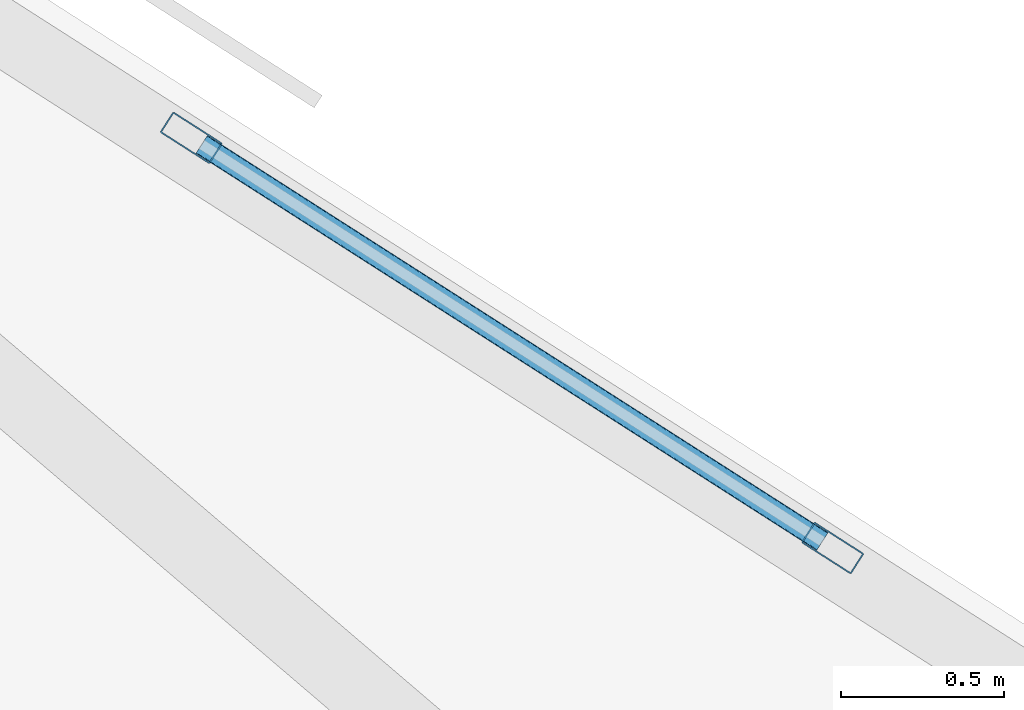
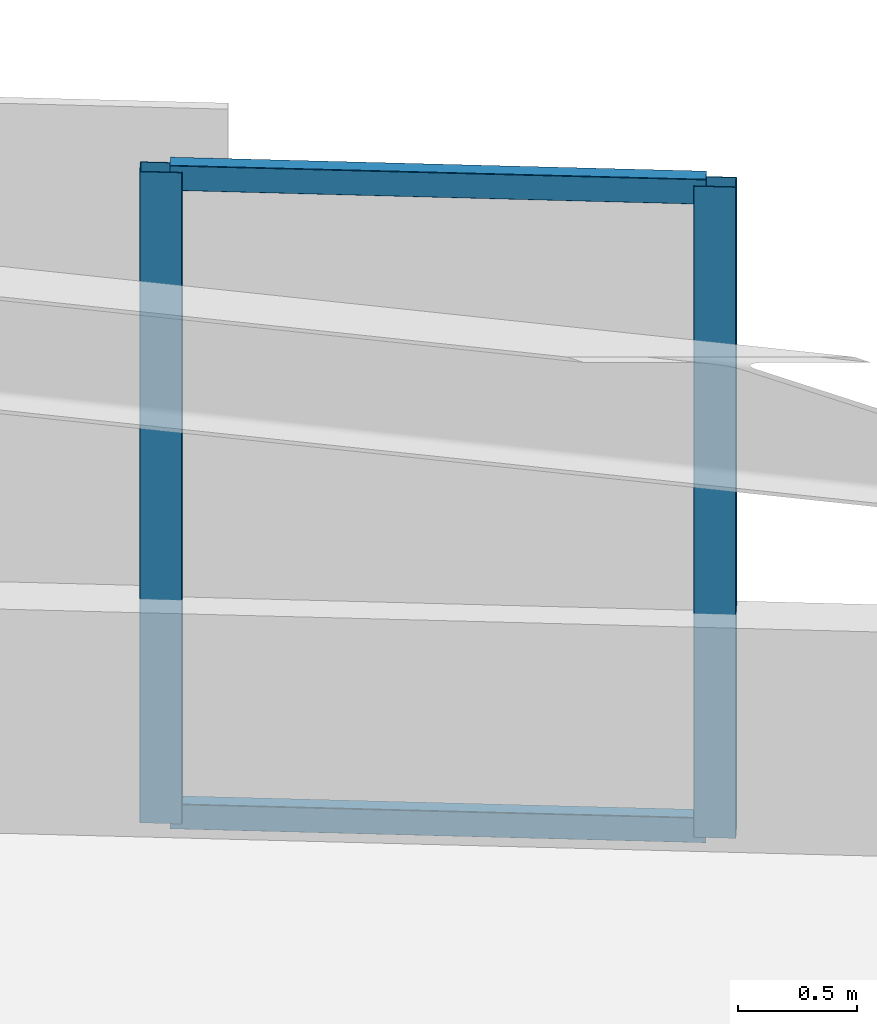
# One storey, part 2 of 17: 4 members, 1 element without a shape of its own.
"""IFC4 building model written with IfcOpenShell, lengths in metres."""

from ifc_helpers import new_model, si_unit, direction, frame, origin, origin_2d, place, context, subcontext, project, spatial, hollow_rectangle, extrude, material, material_profile, profile_set, type_object, element, aggregate, save


model = new_model("IFC4")

# Units and contexts
model_context = context("Model", 3, precision=1e-05, world=origin(), true_north=direction((0.0, 1.0)))
body_context = subcontext(model_context, "Body", "Model", "MODEL_VIEW")
ifc_project = project(units=[si_unit("LENGTHUNIT", "METRE"), si_unit("AREAUNIT", "SQUARE_METRE"), si_unit("VOLUMEUNIT", "CUBIC_METRE"), si_unit("PLANEANGLEUNIT", "RADIAN"), si_unit("MASSUNIT", "GRAM", prefix="KILO")], contexts=[model_context])

# Site, building, storey
site_placement = place(None, origin())
site = spatial("IfcSite", under=ifc_project, at=site_placement, CompositionType="ELEMENT")
building_placement = place(site_placement, origin())
building = spatial("IfcBuilding", under=site, at=building_placement, Name="Narakoshi Arena Tower", CompositionType="ELEMENT")
storey_placement = place(building_placement, frame((0.0, 0.0, 63.300048828125)))
storey = spatial("IfcBuildingStorey", under=building, at=storey_placement, Name="L16", CompositionType="ELEMENT", Elevation=63.300048828125)

# Curtain wall, members
ifc_material = material(Name="Anodised bronze aluminium 6063-T6", Category="aluminium")
curtain_wall_type = type_object("IfcCurtainWallType", Name="CW-HYP-LOW", PredefinedType="NOTDEFINED", material=ifc_material)
curtain_wall_placement = place(storey_placement, origin())
curtain_wall = element("IfcCurtainWall", 1, at=curtain_wall_placement, inside=storey, type_object=curtain_wall_type, Name="L16 Folded Hypotenuse Curtain Wall 2-1", PredefinedType="NOTDEFINED")
ifc_material_profile_1 = material_profile(ifc_material, hollow_rectangle(XDim=0.074951171875, YDim=0.179931640625, WallThickness=0.00390625, OuterFilletRadius=0.0048828125, at=origin_2d()), Name="MUL180x75x4")
ifc_profile_set_1 = profile_set([ifc_material_profile_1], Name="Anodised bronze aluminium 6063-T6")
member_type_1 = type_object("IfcMemberType", Name="MEM-MUL-180", PredefinedType="MULLION", material=ifc_profile_set_1)
member_1_placement = place(storey_placement, frame((91.90234375, 60.801025390625, 0.0), z_axis=(0.0, 0.0, 1.0), x_axis=(-0.538822365864, -0.842419407448, 0.0)))
member_1 = element("IfcMember", 2, at=member_1_placement, type_object=member_type_1, Name="CW-01 mullion 1", PredefinedType="MULLION", context=body_context, shape_type="SweptSolid", body=[
    extrude(hollow_rectangle(XDim=0.074951171875, YDim=0.179931640625, WallThickness=0.00390625, OuterFilletRadius=0.0048828125, at=origin_2d()), origin(), (0.0, 0.0, 1.0), 3.33984375),
])
member_2_placement = place(storey_placement, frame((89.93994140625, 62.056396484375, 0.0), z_axis=(0.0, 0.0, 1.0), x_axis=(-0.538822365864, -0.842419407448, 0.0)))
member_2 = element("IfcMember", 3, at=member_2_placement, type_object=member_type_1, Name="CW-01 mullion 2", PredefinedType="MULLION", context=body_context, shape_type="SweptSolid", body=[
    extrude(hollow_rectangle(XDim=0.074951171875, YDim=0.179931640625, WallThickness=0.00390625, OuterFilletRadius=0.0048828125, at=origin_2d()), origin(), (0.0, 0.0, 1.0), 3.33984375),
])
ifc_material_profile_2 = material_profile(ifc_material, hollow_rectangle(XDim=0.06494140625, YDim=0.1298828125, WallThickness=0.00390625, OuterFilletRadius=0.0048828125, at=origin_2d()), Name="TRN130x65x4")
ifc_profile_set_2 = profile_set([ifc_material_profile_2], Name="Anodised bronze aluminium 6063-T6")
member_type_2 = type_object("IfcMemberType", Name="MEM-TRN-130", PredefinedType="USERDEFINED", material=ifc_profile_set_2)
member_3_placement = place(storey_placement, frame((91.870849609375, 60.8212890625, 0.032470703125), z_axis=(-0.842397246246, 0.538857012125, 0.0), x_axis=(-0.538857012125, -0.842397246246, 0.0)))
member_3 = element("IfcMember", 4, at=member_3_placement, type_object=member_type_2, Name="CW-01 transom 1.1", ObjectType="TRANSOM", PredefinedType="USERDEFINED", context=body_context, shape_type="SweptSolid", body=[
    extrude(hollow_rectangle(XDim=0.06494140625, YDim=0.1298828125, WallThickness=0.00390625, OuterFilletRadius=0.0048828125, at=origin_2d()), origin(), (0.0, 0.0, 1.0), 2.25439453125),
])
member_4_placement = place(storey_placement, frame((91.870849609375, 60.8212890625, 3.307373046875), z_axis=(-0.842397246246, 0.538857012125, 0.0), x_axis=(-0.538857012125, -0.842397246246, 0.0)))
member_4 = element("IfcMember", 5, at=member_4_placement, type_object=member_type_2, Name="CW-01 transom 1.2", ObjectType="TRANSOM", PredefinedType="USERDEFINED", context=body_context, shape_type="SweptSolid", body=[
    extrude(hollow_rectangle(XDim=0.06494140625, YDim=0.1298828125, WallThickness=0.00390625, OuterFilletRadius=0.0048828125, at=origin_2d()), origin(), (0.0, 0.0, 1.0), 2.25439453125),
])
aggregate(curtain_wall, [member_1, member_2, member_3, member_4])

save(model, "model.ifc")
